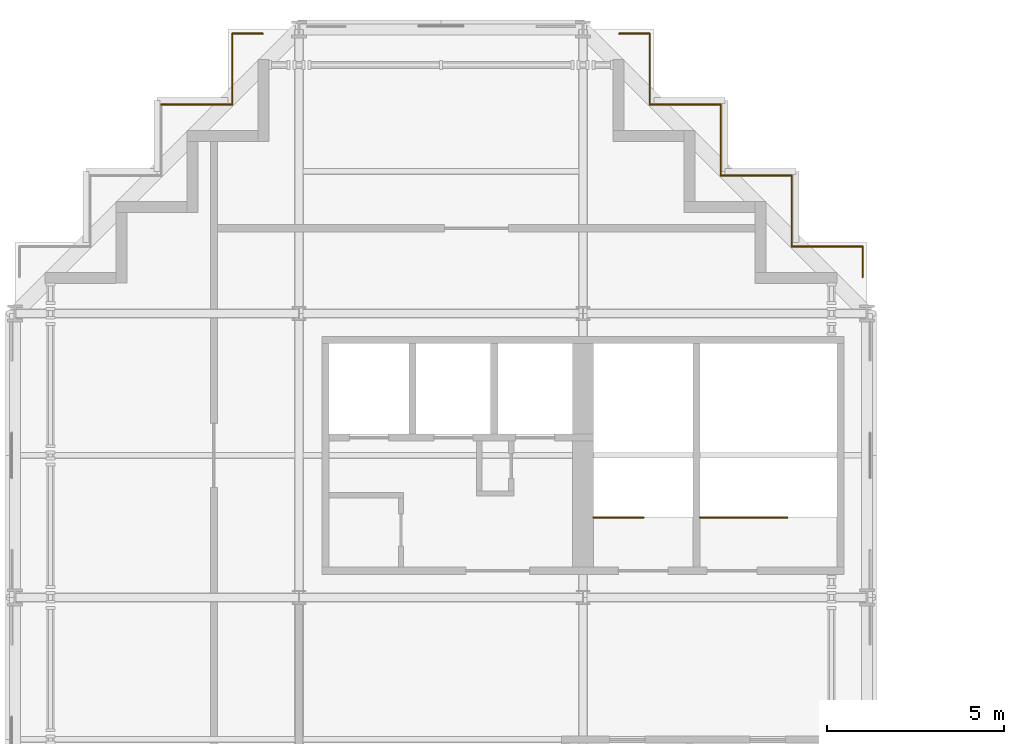
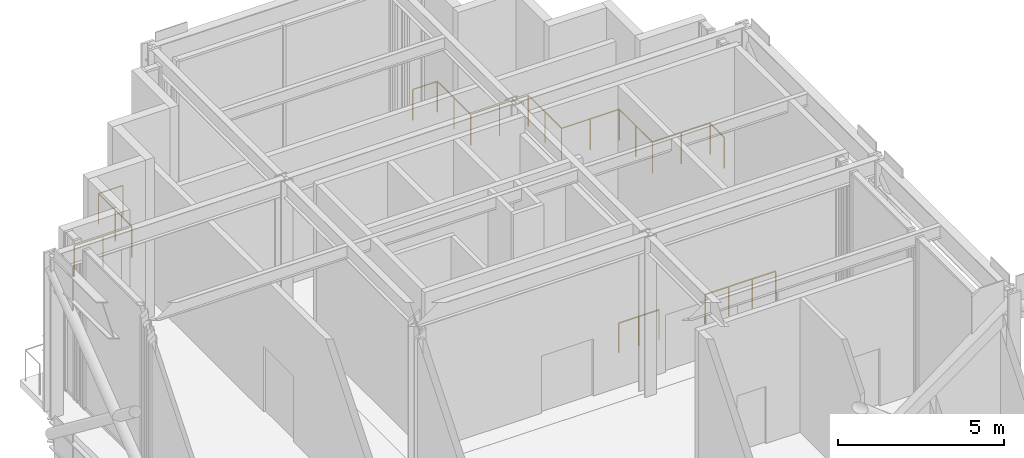
# One storey, part 22 of 23: 13 railings.
"""IFC4 building model written with IfcOpenShell, lengths in metres."""

from ifc_helpers import new_model, si_unit, direction, frame, origin, origin_2d, place, context, subcontext, project, spatial, circle, extrude, material, type_object, element, save


model = new_model("IFC4")

# Units and contexts
model_context = context("Model", 3, precision=1e-05, world=origin(), true_north=direction((0.0, 1.0)))
body_context = subcontext(model_context, "Body", "Model", "MODEL_VIEW")
ifc_project = project(units=[si_unit("LENGTHUNIT", "METRE"), si_unit("AREAUNIT", "SQUARE_METRE"), si_unit("VOLUMEUNIT", "CUBIC_METRE"), si_unit("PLANEANGLEUNIT", "RADIAN"), si_unit("MASSUNIT", "GRAM", prefix="KILO")], contexts=[model_context])

# Site, building, storey
site_placement = place(None, origin())
site = spatial("IfcSite", under=ifc_project, at=site_placement, CompositionType="ELEMENT")
building_placement = place(site_placement, origin())
building = spatial("IfcBuilding", under=site, at=building_placement, Name="Immortelle Media Tower", CompositionType="ELEMENT")
storey_placement = place(building_placement, frame((0.0, 0.0, 183.0)))
storey = spatial("IfcBuildingStorey", under=building, at=storey_placement, Name="L38", CompositionType="ELEMENT", Elevation=183.0)

# Railings
ifc_material = material(Name="Stainless steel AISI 316", Category="steel")
railing_type_1 = type_object("IfcRailingType", Name="Plant ledge guard 1150", PredefinedType="GUARDRAIL", material=ifc_material)
railing_1_placement = place(storey_placement, frame((23.8798828125, 41.8798828125, 0.0)))
element("IfcRailing", 1, at=railing_1_placement, inside=storey, type_object=railing_type_1, Name="Plant ledge guard L38-25", PredefinedType="GUARDRAIL", context=body_context, shape_type="SweptSolid", body=[
    extrude(circle(Radius=0.02001953125, at=origin_2d()), frame((0.0, 0.0, 1.1298828125), z_axis=(-1.0, 0.0, 0.0), x_axis=(0.0, -1.0, 0.0)), (0.0, 0.0, 1.0), 2.0),
    extrude(circle(Radius=0.02001953125, at=origin_2d()), origin(), (0.0, 0.0, 1.0), 1.10986328125),
    extrude(circle(Radius=0.02001953125, at=origin_2d()), frame((-1.0, 0.0, 0.0)), (0.0, 0.0, 1.0), 1.10986328125),
    extrude(circle(Radius=0.02001953125, at=origin_2d()), frame((-2.0, 0.0, 0.0)), (0.0, 0.0, 1.0), 1.10986328125),
])
railing_2_placement = place(storey_placement, frame((23.8798828125, 41.030029296875, 0.0)))
element("IfcRailing", 2, at=railing_2_placement, inside=storey, type_object=railing_type_1, Name="Plant ledge guard L38-26", PredefinedType="GUARDRAIL", context=body_context, shape_type="SweptSolid", body=[
    extrude(circle(Radius=0.02001953125, at=origin_2d()), frame((0.0, 0.0, 1.1298828125), z_axis=(0.0, 1.0, 0.0), x_axis=(-1.0, 0.0, 0.0)), (0.0, 0.0, 1.0), 0.849853515625),
    extrude(circle(Radius=0.02001953125, at=origin_2d()), origin(), (0.0, 0.0, 1.0), 1.10986328125),
    extrude(circle(Radius=0.02001953125, at=origin_2d()), frame((0.0, 0.849853515625, 0.0)), (0.0, 0.0, 1.0), 1.10986328125),
])
railing_3_placement = place(storey_placement, frame((21.8798828125, 41.8798828125, 0.0)))
element("IfcRailing", 3, at=railing_3_placement, inside=storey, type_object=railing_type_1, Name="Plant ledge guard L38-27", PredefinedType="GUARDRAIL", context=body_context, shape_type="SweptSolid", body=[
    extrude(circle(Radius=0.02001953125, at=origin_2d()), frame((0.0, 0.0, 1.1298828125), z_axis=(0.0, 1.0, 0.0), x_axis=(-1.0, 0.0, 0.0)), (0.0, 0.0, 1.0), 2.0),
    extrude(circle(Radius=0.02001953125, at=origin_2d()), origin(), (0.0, 0.0, 1.0), 1.10986328125),
    extrude(circle(Radius=0.02001953125, at=origin_2d()), frame((0.0, 1.0, 0.0)), (0.0, 0.0, 1.0), 1.10986328125),
    extrude(circle(Radius=0.02001953125, at=origin_2d()), frame((0.0, 2.0, 0.0)), (0.0, 0.0, 1.0), 1.10986328125),
])
railing_4_placement = place(storey_placement, frame((21.8798828125, 43.8798828125, 0.0)))
element("IfcRailing", 4, at=railing_4_placement, inside=storey, type_object=railing_type_1, Name="Plant ledge guard L38-28", PredefinedType="GUARDRAIL", context=body_context, shape_type="SweptSolid", body=[
    extrude(circle(Radius=0.02001953125, at=origin_2d()), frame((0.0, 0.0, 1.1298828125), z_axis=(-1.0, 0.0, 0.0), x_axis=(0.0, -1.0, 0.0)), (0.0, 0.0, 1.0), 2.0),
    extrude(circle(Radius=0.02001953125, at=origin_2d()), origin(), (0.0, 0.0, 1.0), 1.10986328125),
    extrude(circle(Radius=0.02001953125, at=origin_2d()), frame((-1.0, 0.0, 0.0)), (0.0, 0.0, 1.0), 1.10986328125),
    extrude(circle(Radius=0.02001953125, at=origin_2d()), frame((-2.0, 0.0, 0.0)), (0.0, 0.0, 1.0), 1.10986328125),
])
railing_5_placement = place(storey_placement, frame((19.8798828125, 43.8798828125, 0.0)))
element("IfcRailing", 5, at=railing_5_placement, inside=storey, type_object=railing_type_1, Name="Plant ledge guard L38-29", PredefinedType="GUARDRAIL", context=body_context, shape_type="SweptSolid", body=[
    extrude(circle(Radius=0.02001953125, at=origin_2d()), frame((0.0, 0.0, 1.1298828125), z_axis=(0.0, 1.0, 0.0), x_axis=(-1.0, 0.0, 0.0)), (0.0, 0.0, 1.0), 2.0),
    extrude(circle(Radius=0.02001953125, at=origin_2d()), origin(), (0.0, 0.0, 1.0), 1.10986328125),
    extrude(circle(Radius=0.02001953125, at=origin_2d()), frame((0.0, 1.0, 0.0)), (0.0, 0.0, 1.0), 1.10986328125),
    extrude(circle(Radius=0.02001953125, at=origin_2d()), frame((0.0, 2.0, 0.0)), (0.0, 0.0, 1.0), 1.10986328125),
])
railing_6_placement = place(storey_placement, frame((19.8798828125, 45.8798828125, 0.0)))
element("IfcRailing", 6, at=railing_6_placement, inside=storey, type_object=railing_type_1, Name="Plant ledge guard L38-30", PredefinedType="GUARDRAIL", context=body_context, shape_type="SweptSolid", body=[
    extrude(circle(Radius=0.02001953125, at=origin_2d()), frame((0.0, 0.0, 1.1298828125), z_axis=(-1.0, 0.0, 0.0), x_axis=(0.0, -1.0, 0.0)), (0.0, 0.0, 1.0), 2.0),
    extrude(circle(Radius=0.02001953125, at=origin_2d()), origin(), (0.0, 0.0, 1.0), 1.10986328125),
    extrude(circle(Radius=0.02001953125, at=origin_2d()), frame((-1.0, 0.0, 0.0)), (0.0, 0.0, 1.0), 1.10986328125),
    extrude(circle(Radius=0.02001953125, at=origin_2d()), frame((-2.0, 0.0, 0.0)), (0.0, 0.0, 1.0), 1.10986328125),
])
railing_7_placement = place(storey_placement, frame((17.8798828125, 45.8798828125, 0.0)))
element("IfcRailing", 7, at=railing_7_placement, inside=storey, type_object=railing_type_1, Name="Plant ledge guard L38-31", PredefinedType="GUARDRAIL", context=body_context, shape_type="SweptSolid", body=[
    extrude(circle(Radius=0.02001953125, at=origin_2d()), frame((0.0, 0.0, 1.1298828125), z_axis=(0.0, 1.0, 0.0), x_axis=(-1.0, 0.0, 0.0)), (0.0, 0.0, 1.0), 2.0),
    extrude(circle(Radius=0.02001953125, at=origin_2d()), origin(), (0.0, 0.0, 1.0), 1.10986328125),
    extrude(circle(Radius=0.02001953125, at=origin_2d()), frame((0.0, 1.0, 0.0)), (0.0, 0.0, 1.0), 1.10986328125),
    extrude(circle(Radius=0.02001953125, at=origin_2d()), frame((0.0, 2.0, 0.0)), (0.0, 0.0, 1.0), 1.10986328125),
])
railing_8_placement = place(storey_placement, frame((17.8798828125, 47.8798828125, 0.0)))
element("IfcRailing", 8, at=railing_8_placement, inside=storey, type_object=railing_type_1, Name="Plant ledge guard L38-32", PredefinedType="GUARDRAIL", context=body_context, shape_type="SweptSolid", body=[
    extrude(circle(Radius=0.02001953125, at=origin_2d()), frame((0.0, 0.0, 1.1298828125), z_axis=(-1.0, 0.0, 0.0), x_axis=(0.0, -1.0, 0.0)), (0.0, 0.0, 1.0), 0.849853515625),
    extrude(circle(Radius=0.02001953125, at=origin_2d()), origin(), (0.0, 0.0, 1.0), 1.10986328125),
    extrude(circle(Radius=0.02001953125, at=origin_2d()), frame((-0.849853515625, 0.0, 0.0)), (0.0, 0.0, 1.0), 1.10986328125),
])
railing_9_placement = place(storey_placement, frame((6.1201171875, 47.8798828125, 0.0)))
element("IfcRailing", 9, at=railing_9_placement, inside=storey, type_object=railing_type_1, Name="Plant ledge guard L38-33", PredefinedType="GUARDRAIL", context=body_context, shape_type="SweptSolid", body=[
    extrude(circle(Radius=0.02001953125, at=origin_2d()), frame((0.0, 0.0, 1.1298828125), z_axis=(0.0, -1.0, 0.0), x_axis=(1.0, 0.0, 0.0)), (0.0, 0.0, 1.0), 2.0),
    extrude(circle(Radius=0.02001953125, at=origin_2d()), origin(), (0.0, 0.0, 1.0), 1.10986328125),
    extrude(circle(Radius=0.02001953125, at=origin_2d()), frame((0.0, -1.0, 0.0)), (0.0, 0.0, 1.0), 1.10986328125),
    extrude(circle(Radius=0.02001953125, at=origin_2d()), frame((0.0, -2.0, 0.0)), (0.0, 0.0, 1.0), 1.10986328125),
])
railing_10_placement = place(storey_placement, frame((6.969970703125, 47.8798828125, 0.0)))
element("IfcRailing", 10, at=railing_10_placement, inside=storey, type_object=railing_type_1, Name="Plant ledge guard L38-34", PredefinedType="GUARDRAIL", context=body_context, shape_type="SweptSolid", body=[
    extrude(circle(Radius=0.02001953125, at=origin_2d()), frame((0.0, 0.0, 1.1298828125), z_axis=(-1.0, 0.0, 0.0), x_axis=(0.0, -1.0, 0.0)), (0.0, 0.0, 1.0), 0.849853515625),
    extrude(circle(Radius=0.02001953125, at=origin_2d()), origin(), (0.0, 0.0, 1.0), 1.10986328125),
    extrude(circle(Radius=0.02001953125, at=origin_2d()), frame((-0.849853515625, 0.0, 0.0)), (0.0, 0.0, 1.0), 1.10986328125),
])
railing_11_placement = place(storey_placement, frame((6.1201171875, 45.8798828125, 0.0)))
element("IfcRailing", 11, at=railing_11_placement, inside=storey, type_object=railing_type_1, Name="Plant ledge guard L38-35", PredefinedType="GUARDRAIL", context=body_context, shape_type="SweptSolid", body=[
    extrude(circle(Radius=0.02001953125, at=origin_2d()), frame((0.0, 0.0, 1.1298828125), z_axis=(-1.0, 0.0, 0.0), x_axis=(0.0, -1.0, 0.0)), (0.0, 0.0, 1.0), 2.0),
    extrude(circle(Radius=0.02001953125, at=origin_2d()), origin(), (0.0, 0.0, 1.0), 1.10986328125),
    extrude(circle(Radius=0.02001953125, at=origin_2d()), frame((-1.0, 0.0, 0.0)), (0.0, 0.0, 1.0), 1.10986328125),
    extrude(circle(Radius=0.02001953125, at=origin_2d()), frame((-2.0, 0.0, 0.0)), (0.0, 0.0, 1.0), 1.10986328125),
])
railing_type_2 = type_object("IfcRailingType", Name="Stair guard 1100", PredefinedType="GUARDRAIL", material=ifc_material)
railing_12_placement = place(storey_placement, frame((16.300048828125, 34.25, 0.0)))
element("IfcRailing", 12, at=railing_12_placement, inside=storey, type_object=railing_type_2, Name="Stair guard NW1", PredefinedType="GUARDRAIL", context=body_context, shape_type="SweptSolid", body=[
    extrude(circle(Radius=0.02392578125, at=origin_2d()), frame((0.0, 0.0, 1.076171875), z_axis=(1.0, 0.0, 0.0), x_axis=(0.0, 1.0, 0.0)), (0.0, 0.0, 1.0), 1.39990234375),
    extrude(circle(Radius=0.02099609375, at=origin_2d()), origin(), (0.0, 0.0, 1.0), 1.052001953125),
    extrude(circle(Radius=0.02099609375, at=origin_2d()), frame((0.699951171875, 0.0, 0.0)), (0.0, 0.0, 1.0), 1.052001953125),
    extrude(circle(Radius=0.02099609375, at=origin_2d()), frame((1.39990234375, 0.0, 0.0)), (0.0, 0.0, 1.0), 1.052001953125),
])
railing_13_placement = place(storey_placement, frame((19.300048828125, 34.25, 0.0)))
element("IfcRailing", 13, at=railing_13_placement, inside=storey, type_object=railing_type_2, Name="Stair guard NW2", PredefinedType="GUARDRAIL", context=body_context, shape_type="SweptSolid", body=[
    extrude(circle(Radius=0.02392578125, at=origin_2d()), frame((0.0, 0.0, 1.076171875), z_axis=(1.0, 0.0, 0.0), x_axis=(0.0, 1.0, 0.0)), (0.0, 0.0, 1.0), 2.449951171875),
    extrude(circle(Radius=0.02099609375, at=origin_2d()), origin(), (0.0, 0.0, 1.0), 1.052001953125),
    extrude(circle(Radius=0.02099609375, at=origin_2d()), frame((0.816650390625, 0.0, 0.0)), (0.0, 0.0, 1.0), 1.052001953125),
    extrude(circle(Radius=0.02099609375, at=origin_2d()), frame((1.63330078125, 0.0, 0.0)), (0.0, 0.0, 1.0), 1.052001953125),
    extrude(circle(Radius=0.02099609375, at=origin_2d()), frame((2.449951171875, 0.0, 0.0)), (0.0, 0.0, 1.0), 1.052001953125),
])

save(model, "model.ifc")
